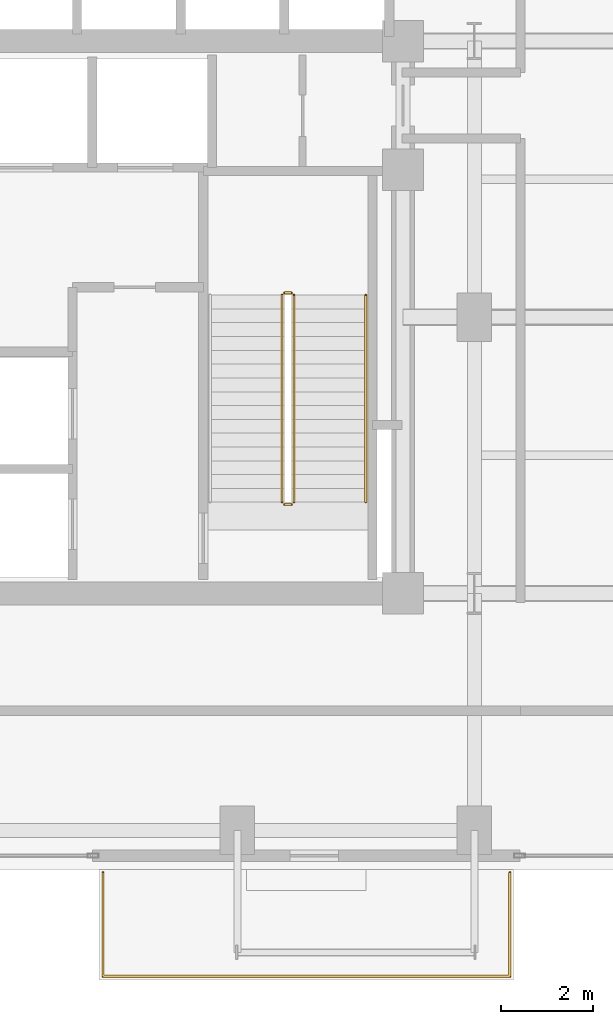
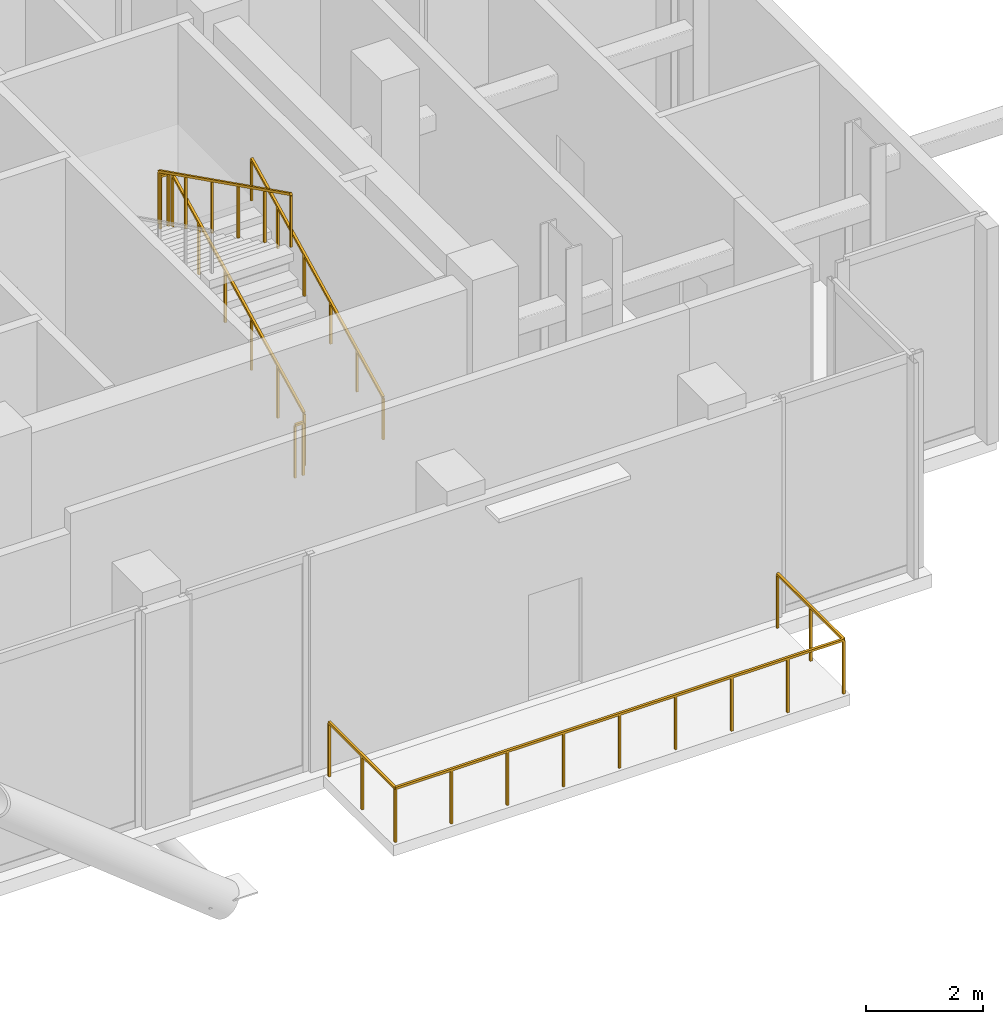
# One storey, part 22 of 22: 6 railings.
"""IFC4 building model written with IfcOpenShell, lengths in metres."""

from ifc_helpers import new_model, si_unit, direction, frame, origin, origin_2d, place, context, subcontext, project, spatial, rectangle, extrude, material, type_object, element, save


model = new_model("IFC4")

# Units and contexts
model_context = context("Model", 3, precision=1e-05, world=origin(), true_north=direction((0.0, 1.0)))
body_context = subcontext(model_context, "Body", "Model", "MODEL_VIEW")
ifc_project = project(units=[si_unit("LENGTHUNIT", "METRE"), si_unit("AREAUNIT", "SQUARE_METRE"), si_unit("VOLUMEUNIT", "CUBIC_METRE"), si_unit("PLANEANGLEUNIT", "RADIAN"), si_unit("MASSUNIT", "GRAM", prefix="KILO"), si_unit("THERMODYNAMICTEMPERATUREUNIT", "KELVIN"), si_unit("POWERUNIT", "WATT")], contexts=[model_context])

# Site, building, storey
site_placement = place(None, origin())
site = spatial("IfcSite", under=ifc_project, at=site_placement, CompositionType="ELEMENT")
building_placement = place(site_placement, origin())
building = spatial("IfcBuilding", under=site, at=building_placement, Name="Svarakhadi Broadcast Tower", CompositionType="ELEMENT")
storey_placement = place(building_placement, frame((0.0, 0.0, 199.199951171875)))
storey = spatial("IfcBuildingStorey", under=building, at=storey_placement, Name="L49", CompositionType="ELEMENT", Elevation=199.199951171875)

# Railings
ifc_material_1 = material(Name="Laminated Structural SentryGlas Balustrade 25.5 mm", Category="glass")
railing_type_1 = type_object("IfcRailingType", Name="Guard_Balcony_GR01", PredefinedType="BALUSTRADE", material=ifc_material_1)
railing_1_placement = place(storey_placement, frame((27.080078125, -0.06005859375, 0.0)))
element("IfcRailing", 1, at=railing_1_placement, inside=storey, type_object=railing_type_1, Name="L49 South Tree Balcony Guard GR-05", PredefinedType="BALUSTRADE", context=body_context, shape_type="SweptSolid", body=[
    extrude(rectangle(XDim=0.048095703125, YDim=0.048095703125, at=origin_2d()), frame((0.0, 0.0, 1.1259765625), z_axis=(0.0, -1.0, 0.0), x_axis=(1.0, 0.0, 0.0)), (0.0, 0.0, 1.0), 2.260009765625),
    extrude(rectangle(XDim=0.048095703125, YDim=0.048095703125, at=origin_2d()), frame((0.0, -2.260009765625, 1.1259765625), z_axis=(1.0, 0.0, 0.0), x_axis=(0.0, 1.0, 0.0)), (0.0, 0.0, 1.0), 8.83984375),
    extrude(rectangle(XDim=0.048095703125, YDim=0.048095703125, at=origin_2d()), frame((8.83984375, -2.260009765625, 1.1259765625), z_axis=(0.0, 1.0, 0.0), x_axis=(-1.0, 0.0, 0.0)), (0.0, 0.0, 1.0), 2.260009765625),
    extrude(rectangle(XDim=0.0419921875, YDim=0.0419921875, at=origin_2d()), origin(), (0.0, 0.0, 1.0), 1.101806640625),
    extrude(rectangle(XDim=0.0419921875, YDim=0.0419921875, at=origin_2d()), frame((0.0, -1.1298828125, 0.0)), (0.0, 0.0, 1.0), 1.101806640625),
    extrude(rectangle(XDim=0.0419921875, YDim=0.0419921875, at=origin_2d()), frame((0.0, -2.260009765625, 0.0)), (0.0, 0.0, 1.0), 1.101806640625),
    extrude(rectangle(XDim=0.0419921875, YDim=0.0419921875, at=origin_2d()), frame((1.10498046875, -2.260009765625, 0.0)), (0.0, 0.0, 1.0), 1.101806640625),
    extrude(rectangle(XDim=0.0419921875, YDim=0.0419921875, at=origin_2d()), frame((2.2099609375, -2.260009765625, 0.0)), (0.0, 0.0, 1.0), 1.101806640625),
    extrude(rectangle(XDim=0.0419921875, YDim=0.0419921875, at=origin_2d()), frame((3.31494140625, -2.260009765625, 0.0)), (0.0, 0.0, 1.0), 1.101806640625),
    extrude(rectangle(XDim=0.0419921875, YDim=0.0419921875, at=origin_2d()), frame((4.419921875, -2.260009765625, 0.0)), (0.0, 0.0, 1.0), 1.101806640625),
    extrude(rectangle(XDim=0.0419921875, YDim=0.0419921875, at=origin_2d()), frame((5.52490234375, -2.260009765625, 0.0)), (0.0, 0.0, 1.0), 1.101806640625),
    extrude(rectangle(XDim=0.0419921875, YDim=0.0419921875, at=origin_2d()), frame((6.6298828125, -2.260009765625, 0.0)), (0.0, 0.0, 1.0), 1.101806640625),
    extrude(rectangle(XDim=0.0419921875, YDim=0.0419921875, at=origin_2d()), frame((7.73486328125, -2.260009765625, 0.0)), (0.0, 0.0, 1.0), 1.101806640625),
    extrude(rectangle(XDim=0.0419921875, YDim=0.0419921875, at=origin_2d()), frame((8.83984375, -2.260009765625, 0.0)), (0.0, 0.0, 1.0), 1.101806640625),
    extrude(rectangle(XDim=0.0419921875, YDim=0.0419921875, at=origin_2d()), frame((8.83984375, -1.1298828125, 0.0)), (0.0, 0.0, 1.0), 1.101806640625),
    extrude(rectangle(XDim=0.0419921875, YDim=0.0419921875, at=origin_2d()), frame((8.83984375, 0.0, 0.0)), (0.0, 0.0, 1.0), 1.101806640625),
])
ifc_material_2 = material(Name="Anodised Bronze Aluminium AA 6063-T6", Category="aluminium")
railing_type_2 = type_object("IfcRailingType", Name="Guard_Stair_GR01", PredefinedType="GUARDRAIL", material=ifc_material_2)
railing_2_placement = place(storey_placement, frame((31.22998046875, 7.97998046875, 0.150146484375)))
element("IfcRailing", 2, at=railing_2_placement, inside=storey, type_object=railing_type_2, Name="L49 ST-02 stair guard 1", PredefinedType="GUARDRAIL", context=body_context, shape_type="SweptSolid", body=[
    extrude(rectangle(XDim=0.048095703125, YDim=0.048095703125, at=origin_2d()), frame((0.0, 0.0, 1.09619140625), z_axis=(0.0, 0.894427191, 0.4472135955), x_axis=(-1.0, 0.0, 0.0)), (0.0, 0.0, 1.0), 5.03125),
    extrude(rectangle(XDim=0.0419921875, YDim=0.0419921875, at=origin_2d()), origin(), (0.0, 0.0, 1.0), 1.072021484375),
    extrude(rectangle(XDim=0.0419921875, YDim=0.0419921875, at=origin_2d()), frame((0.0, 0.89990234375, 0.449951171875)), (0.0, 0.0, 1.0), 1.072021484375),
    extrude(rectangle(XDim=0.0419921875, YDim=0.0419921875, at=origin_2d()), frame((0.0, 1.800048828125, 0.89990234375)), (0.0, 0.0, 1.0), 1.072021484375),
    extrude(rectangle(XDim=0.0419921875, YDim=0.0419921875, at=origin_2d()), frame((0.0, 2.699951171875, 1.35009765625)), (0.0, 0.0, 1.0), 1.072021484375),
    extrude(rectangle(XDim=0.0419921875, YDim=0.0419921875, at=origin_2d()), frame((0.0, 3.60009765625, 1.800048828125)), (0.0, 0.0, 1.0), 1.072021484375),
    extrude(rectangle(XDim=0.0419921875, YDim=0.0419921875, at=origin_2d()), frame((0.0, 4.5, 2.25)), (0.0, 0.0, 1.0), 1.072021484375),
])
railing_3_placement = place(storey_placement, frame((31.179931640625, 12.530029296875, 2.400146484375)))
element("IfcRailing", 3, at=railing_3_placement, inside=storey, type_object=railing_type_2, Name="L49 ST-02 stair guard 2", PredefinedType="GUARDRAIL", context=body_context, shape_type="SweptSolid", body=[
    extrude(rectangle(XDim=0.048095703125, YDim=0.048095703125, at=origin_2d()), frame((0.0, 0.0, 1.09619140625), z_axis=(-1.0, 0.0, 0.0), x_axis=(0.0, -1.0, 0.0)), (0.0, 0.0, 1.0), 0.159912109375),
    extrude(rectangle(XDim=0.0419921875, YDim=0.0419921875, at=origin_2d()), origin(), (0.0, 0.0, 1.0), 1.072021484375),
    extrude(rectangle(XDim=0.0419921875, YDim=0.0419921875, at=origin_2d()), frame((-0.159912109375, 0.0, 0.0)), (0.0, 0.0, 1.0), 1.072021484375),
])
railing_4_placement = place(storey_placement, frame((30.969970703125, 12.47998046875, 2.550048828125)))
element("IfcRailing", 4, at=railing_4_placement, inside=storey, type_object=railing_type_2, Name="L49 ST-02 stair guard 3", PredefinedType="GUARDRAIL", context=body_context, shape_type="SweptSolid", body=[
    extrude(rectangle(XDim=0.048095703125, YDim=0.048095703125, at=origin_2d()), frame((0.0, 0.0, 1.09619140625), z_axis=(0.0, -0.894427191, 0.4472135955), x_axis=(1.0, 0.0, 0.0)), (0.0, 0.0, 1.0), 5.03125),
    extrude(rectangle(XDim=0.0419921875, YDim=0.0419921875, at=origin_2d()), origin(), (0.0, 0.0, 1.0), 1.072021484375),
    extrude(rectangle(XDim=0.0419921875, YDim=0.0419921875, at=origin_2d()), frame((0.0, -0.89990234375, 0.449951171875)), (0.0, 0.0, 1.0), 1.072021484375),
    extrude(rectangle(XDim=0.0419921875, YDim=0.0419921875, at=origin_2d()), frame((0.0, -1.800048828125, 0.89990234375)), (0.0, 0.0, 1.0), 1.072021484375),
    extrude(rectangle(XDim=0.0419921875, YDim=0.0419921875, at=origin_2d()), frame((0.0, -2.699951171875, 1.35009765625)), (0.0, 0.0, 1.0), 1.072021484375),
    extrude(rectangle(XDim=0.0419921875, YDim=0.0419921875, at=origin_2d()), frame((0.0, -3.60009765625, 1.800048828125)), (0.0, 0.0, 1.0), 1.072021484375),
    extrude(rectangle(XDim=0.0419921875, YDim=0.0419921875, at=origin_2d()), frame((0.0, -4.5, 2.25)), (0.0, 0.0, 1.0), 1.072021484375),
])
railing_5_placement = place(storey_placement, frame((31.179931640625, 7.929931640625, 0.0)))
element("IfcRailing", 5, at=railing_5_placement, inside=storey, type_object=railing_type_2, Name="L49 ST-02 stair guard 4", PredefinedType="GUARDRAIL", context=body_context, shape_type="SweptSolid", body=[
    extrude(rectangle(XDim=0.048095703125, YDim=0.048095703125, at=origin_2d()), frame((0.0, 0.0, 1.09619140625), z_axis=(-1.0, 0.0, 0.0), x_axis=(0.0, -1.0, 0.0)), (0.0, 0.0, 1.0), 0.159912109375),
    extrude(rectangle(XDim=0.0419921875, YDim=0.0419921875, at=origin_2d()), origin(), (0.0, 0.0, 1.0), 1.072021484375),
    extrude(rectangle(XDim=0.0419921875, YDim=0.0419921875, at=origin_2d()), frame((-0.159912109375, 0.0, 0.0)), (0.0, 0.0, 1.0), 1.072021484375),
])
railing_type_3 = type_object("IfcRailingType", Name="Handrail_Stair_HR01", PredefinedType="HANDRAIL", material=ifc_material_2)
railing_6_placement = place(storey_placement, frame((32.7900390625, 7.97998046875, 0.150146484375)))
element("IfcRailing", 6, at=railing_6_placement, inside=storey, type_object=railing_type_3, Name="L49 ST-02 stair handrail 1", PredefinedType="HANDRAIL", context=body_context, shape_type="SweptSolid", body=[
    extrude(rectangle(XDim=0.048095703125, YDim=0.048095703125, at=origin_2d()), frame((0.0, 0.0, 0.8759765625), z_axis=(0.0, 0.894427191, 0.4472135955), x_axis=(-1.0, 0.0, 0.0)), (0.0, 0.0, 1.0), 5.03125),
    extrude(rectangle(XDim=0.0419921875, YDim=0.0419921875, at=origin_2d()), origin(), (0.0, 0.0, 1.0), 0.851806640625),
    extrude(rectangle(XDim=0.0419921875, YDim=0.0419921875, at=origin_2d()), frame((0.0, 0.89990234375, 0.449951171875)), (0.0, 0.0, 1.0), 0.851806640625),
    extrude(rectangle(XDim=0.0419921875, YDim=0.0419921875, at=origin_2d()), frame((0.0, 1.800048828125, 0.89990234375)), (0.0, 0.0, 1.0), 0.851806640625),
    extrude(rectangle(XDim=0.0419921875, YDim=0.0419921875, at=origin_2d()), frame((0.0, 2.699951171875, 1.35009765625)), (0.0, 0.0, 1.0), 0.851806640625),
    extrude(rectangle(XDim=0.0419921875, YDim=0.0419921875, at=origin_2d()), frame((0.0, 3.60009765625, 1.800048828125)), (0.0, 0.0, 1.0), 0.851806640625),
    extrude(rectangle(XDim=0.0419921875, YDim=0.0419921875, at=origin_2d()), frame((0.0, 4.5, 2.25)), (0.0, 0.0, 1.0), 0.851806640625),
])

save(model, "model.ifc")
